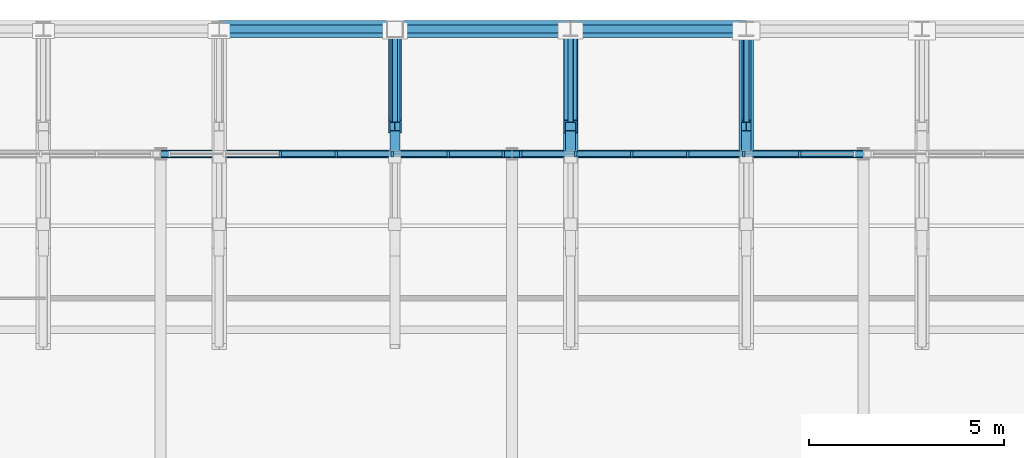
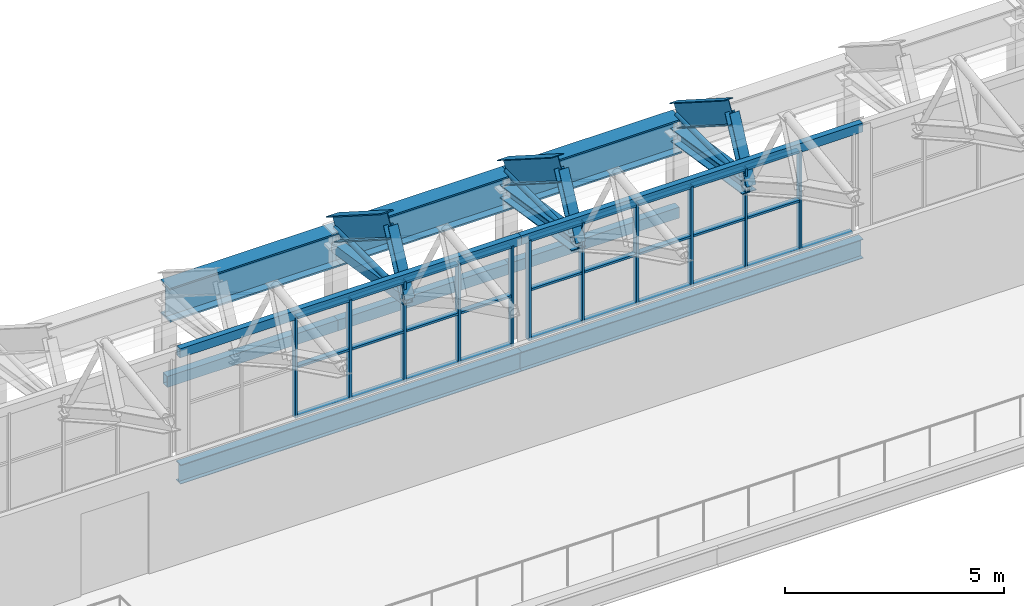
# One storey, part 70 of 134: 48 members, 13 beams, 2 elements without a shape of their own.
"""IFC4 building model written with IfcOpenShell, lengths in metres."""

from ifc_helpers import new_model, si_unit, direction, frame, origin, origin_2d, place, context, subcontext, project, spatial, rectangle, hollow_rectangle, hollow_circle, i_section, extrude, material, layer, layer_set, material_profile, profile_set, type_object, element, aggregate, save


model = new_model("IFC4")

# Units and contexts
model_context = context("Model", 3, precision=1e-05, world=origin(), true_north=direction((0.0, 1.0)))
body_context = subcontext(model_context, "Body", "Model", "MODEL_VIEW")
ifc_project = project(units=[si_unit("LENGTHUNIT", "METRE"), si_unit("AREAUNIT", "SQUARE_METRE"), si_unit("VOLUMEUNIT", "CUBIC_METRE"), si_unit("PLANEANGLEUNIT", "RADIAN"), si_unit("MASSUNIT", "GRAM", prefix="KILO")], contexts=[model_context])

# Site, building, storey
site_placement = place(None, origin())
site = spatial("IfcSite", under=ifc_project, at=site_placement, CompositionType="ELEMENT")
building_placement = place(site_placement, origin())
building = spatial("IfcBuilding", under=site, at=building_placement, Name="Cazmaro Siding Exhibition Halls", CompositionType="ELEMENT")
storey_placement = place(building_placement, frame((0.0, 0.0, 12.0)))
storey = spatial("IfcBuildingStorey", under=building, at=storey_placement, Name="L02", CompositionType="ELEMENT", Elevation=12.0)

# Beams
ifc_material_1 = material(Name="Steel ASTM A992 Grade 50", Category="steel")
ifc_material_profile_1 = material_profile(ifc_material_1, i_section(OverallWidth=0.327880859375, OverallDepth=0.626953125, WebThickness=0.01708984375, FlangeThickness=0.028076171875, at=origin_2d()), Name="W24X146")
ifc_profile_set_1 = profile_set([ifc_material_profile_1], Name="Steel ASTM A992 Grade 50")
beam_type_1 = type_object("IfcBeamType", Name="AR-01", PredefinedType="USERDEFINED", material=ifc_profile_set_1)
beam_1_placement = place(storey_placement, frame((99.0, 121.5, 3.89306640625), z_axis=(0.0, 0.843339173298, -0.537381650954), x_axis=(-1.0, 0.0, 0.0)))
element("IfcBeam", 1, at=beam_1_placement, inside=storey, type_object=beam_type_1, Name="Space frame barrel vault arched rib AR-01 BM-0846", ObjectType="ARCHED RIB", PredefinedType="USERDEFINED", context=body_context, shape_type="SweptSolid", body=[
    extrude(i_section(OverallWidth=0.327880859375, OverallDepth=0.626953125, WebThickness=0.01708984375, FlangeThickness=0.028076171875, at=origin_2d()), origin(), (0.0, 0.0, 1.0), 2.96435546875),
])
ifc_material_2 = material(Name="Steel ASTM A992 Grade 50", Category="steel")
ifc_material_profile_2 = material_profile(ifc_material_2, i_section(OverallWidth=0.324951171875, OverallDepth=0.612060546875, WebThickness=0.012939453125, FlangeThickness=0.01904296875, at=origin_2d()), Name="W24X104")
ifc_profile_set_2 = profile_set([ifc_material_profile_2], Name="Steel ASTM A992 Grade 50")
beam_type_2 = type_object("IfcBeamType", Name="AR-02", PredefinedType="USERDEFINED", material=ifc_profile_set_2)
beam_2_placement = place(storey_placement, frame((103.5, 121.5, 3.89306640625), z_axis=(0.0, 0.843339173298, -0.537381650954), x_axis=(-1.0, 0.0, 0.0)))
element("IfcBeam", 2, at=beam_2_placement, inside=storey, type_object=beam_type_2, Name="Space frame barrel vault arched rib AR-02 BM-0870", ObjectType="ARCHED RIB", PredefinedType="USERDEFINED", context=body_context, shape_type="SweptSolid", body=[
    extrude(i_section(OverallWidth=0.324951171875, OverallDepth=0.612060546875, WebThickness=0.012939453125, FlangeThickness=0.01904296875, at=origin_2d()), origin(), (0.0, 0.0, 1.0), 2.96435546875),
])
ifc_material_3 = material(Name="Steel ASTM A992 Grade 50", Category="steel")
ifc_material_profile_3 = material_profile(ifc_material_3, i_section(OverallWidth=0.22900390625, OverallDepth=0.612060546875, WebThickness=0.011962890625, FlangeThickness=0.02001953125, at=origin_2d()), Name="W24X84")
ifc_profile_set_3 = profile_set([ifc_material_profile_3], Name="Steel ASTM A992 Grade 50")
beam_type_3 = type_object("IfcBeamType", Name="AR-03", PredefinedType="USERDEFINED", material=ifc_profile_set_3)
beam_3_placement = place(storey_placement, frame((108.0, 121.5, 3.89306640625), z_axis=(0.0, 0.843339173298, -0.537381650954), x_axis=(-1.0, 0.0, 0.0)))
element("IfcBeam", 3, at=beam_3_placement, inside=storey, type_object=beam_type_3, Name="Space frame barrel vault arched rib AR-03 BM-0894", ObjectType="ARCHED RIB", PredefinedType="USERDEFINED", context=body_context, shape_type="SweptSolid", body=[
    extrude(i_section(OverallWidth=0.22900390625, OverallDepth=0.612060546875, WebThickness=0.011962890625, FlangeThickness=0.02001953125, at=origin_2d()), origin(), (0.0, 0.0, 1.0), 2.96435546875),
])
ifc_material_4 = material(Name="Steel ASTM A992 Grade 50", Category="steel")
ifc_material_profile_4 = material_profile(ifc_material_4, i_section(OverallWidth=0.2099609375, OverallDepth=0.535888671875, WebThickness=0.010986328125, FlangeThickness=0.01708984375, at=origin_2d()), Name="W21X68")
ifc_profile_set_4 = profile_set([ifc_material_profile_4], Name="Steel ASTM A992 Grade 50")
beam_type_4 = type_object("IfcBeamType", Name="B-02", PredefinedType="BEAM", material=ifc_profile_set_4)
for number, where, z_axis, x_axis, name in (
    (4, (93.0, 120.800048828125, -0.488037109375), (1.0, 0.0, 0.0), (0.0, 1.0, 0.0), "Beam B-02 BM-0414"),
    (5, (102.0, 120.800048828125, -0.488037109375), (1.0, 0.0, 0.0), (0.0, 1.0, 0.0), "Beam B-02 BM-0417"),
):
    element("IfcBeam", number, at=place(storey_placement, frame(where, z_axis=z_axis, x_axis=x_axis)), inside=storey, type_object=beam_type_4, Name=name, PredefinedType="BEAM", context=body_context, shape_type="SweptSolid", body=[
        extrude(i_section(OverallWidth=0.2099609375, OverallDepth=0.535888671875, WebThickness=0.010986328125, FlangeThickness=0.01708984375, at=origin_2d()), origin(), (0.0, 0.0, 1.0), 9.0),
    ])

# Curtain wall, members
ifc_material_5 = material(Name="Anodized Bronze Aluminum and Solar-Control Low-E Glazing", Category="aluminium")
ifc_layer = layer(ifc_material_5, 0.159912109375)
ifc_layer_set = layer_set([ifc_layer], Name="Anodized Bronze Aluminum and Solar-Control Low-E Glazing")
curtain_wall_type = type_object("IfcCurtainWallType", Name="CWS-04", PredefinedType="USERDEFINED", material=ifc_layer_set)
curtain_wall_1_placement = place(storey_placement, origin())
curtain_wall_1 = element("IfcCurtainWall", 6, at=curtain_wall_1_placement, inside=storey, type_object=curtain_wall_type, Name="Clerestory Curtain Wall CWS-04 CW-023", ObjectType="CLERESTORY CURTAIN WALL", PredefinedType="USERDEFINED")
ifc_material_6 = material(Name="Anodized Bronze Extruded Aluminum", Category="aluminium")
ifc_material_profile_5 = material_profile(ifc_material_6, rectangle(XDim=0.159912109375, YDim=0.06005859375, at=origin_2d()), Name="CWM-04")
ifc_profile_set_5 = profile_set([ifc_material_profile_5], Name="Anodized Bronze Extruded Aluminum")
member_type_1 = type_object("IfcMemberType", Name="CWM-04", PredefinedType="MULLION", material=ifc_profile_set_5)
member_1_placement = place(storey_placement, frame((101.77294921875, 120.800048828125, 0.0), z_axis=(0.0, 0.0, 1.0), x_axis=(0.0, -1.0, 0.0)))
member_1 = element("IfcMember", 7, at=member_1_placement, type_object=member_type_1, Name="CWS-04 mullion 1", PredefinedType="MULLION", context=body_context, shape_type="SweptSolid", body=[
    extrude(rectangle(XDim=0.159912109375, YDim=0.06005859375, at=origin_2d()), origin(), (0.0, 0.0, 1.0), 2.800048828125),
])
member_2_placement = place(storey_placement, frame((100.36865234375, 120.800048828125, 0.0), z_axis=(0.0, 0.0, 1.0), x_axis=(0.0, -1.0, 0.0)))
member_2 = element("IfcMember", 8, at=member_2_placement, type_object=member_type_1, Name="CWS-04 mullion 2", PredefinedType="MULLION", context=body_context, shape_type="SweptSolid", body=[
    extrude(rectangle(XDim=0.159912109375, YDim=0.06005859375, at=origin_2d()), origin(), (0.0, 0.0, 1.0), 2.800048828125),
])
member_3_placement = place(storey_placement, frame((98.934326171875, 120.800048828125, 0.0), z_axis=(0.0, 0.0, 1.0), x_axis=(0.0, -1.0, 0.0)))
member_3 = element("IfcMember", 9, at=member_3_placement, type_object=member_type_1, Name="CWS-04 mullion 3", PredefinedType="MULLION", context=body_context, shape_type="SweptSolid", body=[
    extrude(rectangle(XDim=0.159912109375, YDim=0.06005859375, at=origin_2d()), origin(), (0.0, 0.0, 1.0), 2.800048828125),
])
member_4_placement = place(storey_placement, frame((97.5, 120.800048828125, 0.0), z_axis=(0.0, 0.0, 1.0), x_axis=(0.0, -1.0, 0.0)))
member_4 = element("IfcMember", 10, at=member_4_placement, type_object=member_type_1, Name="CWS-04 mullion 4", PredefinedType="MULLION", context=body_context, shape_type="SweptSolid", body=[
    extrude(rectangle(XDim=0.159912109375, YDim=0.06005859375, at=origin_2d()), origin(), (0.0, 0.0, 1.0), 2.800048828125),
])
member_5_placement = place(storey_placement, frame((96.065673828125, 120.800048828125, 0.0), z_axis=(0.0, 0.0, 1.0), x_axis=(0.0, -1.0, 0.0)))
member_5 = element("IfcMember", 11, at=member_5_placement, type_object=member_type_1, Name="CWS-04 mullion 5", PredefinedType="MULLION", context=body_context, shape_type="SweptSolid", body=[
    extrude(rectangle(XDim=0.159912109375, YDim=0.06005859375, at=origin_2d()), origin(), (0.0, 0.0, 1.0), 2.800048828125),
])

curtain_wall_2_placement = place(storey_placement, origin())
curtain_wall_2 = element("IfcCurtainWall", 12, at=curtain_wall_2_placement, inside=storey, type_object=curtain_wall_type, Name="Clerestory Curtain Wall CWS-04 CW-026", ObjectType="CLERESTORY CURTAIN WALL", PredefinedType="USERDEFINED")
member_6_placement = place(storey_placement, frame((109.36865234375, 120.800048828125, 0.0), z_axis=(0.0, 0.0, 1.0), x_axis=(0.0, -1.0, 0.0)))
member_6 = element("IfcMember", 13, at=member_6_placement, type_object=member_type_1, Name="CWS-04 mullion 2", PredefinedType="MULLION", context=body_context, shape_type="SweptSolid", body=[
    extrude(rectangle(XDim=0.159912109375, YDim=0.06005859375, at=origin_2d()), origin(), (0.0, 0.0, 1.0), 2.800048828125),
])
member_7_placement = place(storey_placement, frame((107.934326171875, 120.800048828125, 0.0), z_axis=(0.0, 0.0, 1.0), x_axis=(0.0, -1.0, 0.0)))
member_7 = element("IfcMember", 14, at=member_7_placement, type_object=member_type_1, Name="CWS-04 mullion 3", PredefinedType="MULLION", context=body_context, shape_type="SweptSolid", body=[
    extrude(rectangle(XDim=0.159912109375, YDim=0.06005859375, at=origin_2d()), origin(), (0.0, 0.0, 1.0), 2.800048828125),
])
member_8_placement = place(storey_placement, frame((106.5, 120.800048828125, 0.0), z_axis=(0.0, 0.0, 1.0), x_axis=(0.0, -1.0, 0.0)))
member_8 = element("IfcMember", 15, at=member_8_placement, type_object=member_type_1, Name="CWS-04 mullion 4", PredefinedType="MULLION", context=body_context, shape_type="SweptSolid", body=[
    extrude(rectangle(XDim=0.159912109375, YDim=0.06005859375, at=origin_2d()), origin(), (0.0, 0.0, 1.0), 2.800048828125),
])
member_9_placement = place(storey_placement, frame((105.065673828125, 120.800048828125, 0.0), z_axis=(0.0, 0.0, 1.0), x_axis=(0.0, -1.0, 0.0)))
member_9 = element("IfcMember", 16, at=member_9_placement, type_object=member_type_1, Name="CWS-04 mullion 5", PredefinedType="MULLION", context=body_context, shape_type="SweptSolid", body=[
    extrude(rectangle(XDim=0.159912109375, YDim=0.06005859375, at=origin_2d()), origin(), (0.0, 0.0, 1.0), 2.800048828125),
])
member_10_placement = place(storey_placement, frame((103.63134765625, 120.800048828125, 0.0), z_axis=(0.0, 0.0, 1.0), x_axis=(0.0, -1.0, 0.0)))
member_10 = element("IfcMember", 17, at=member_10_placement, type_object=member_type_1, Name="CWS-04 mullion 6", PredefinedType="MULLION", context=body_context, shape_type="SweptSolid", body=[
    extrude(rectangle(XDim=0.159912109375, YDim=0.06005859375, at=origin_2d()), origin(), (0.0, 0.0, 1.0), 2.800048828125),
])
member_11_placement = place(storey_placement, frame((102.22705078125, 120.800048828125, 0.0), z_axis=(0.0, 0.0, 1.0), x_axis=(0.0, -1.0, 0.0)))
member_11 = element("IfcMember", 18, at=member_11_placement, type_object=member_type_1, Name="CWS-04 mullion 7", PredefinedType="MULLION", context=body_context, shape_type="SweptSolid", body=[
    extrude(rectangle(XDim=0.159912109375, YDim=0.06005859375, at=origin_2d()), origin(), (0.0, 0.0, 1.0), 2.800048828125),
])

# Member
ifc_material_7 = material(Name="Anodized Bronze Extruded Aluminum", Category="aluminium")
ifc_material_profile_6 = material_profile(ifc_material_7, rectangle(XDim=0.139892578125, YDim=0.06005859375, at=origin_2d()), Name="CWT-04")
ifc_profile_set_6 = profile_set([ifc_material_profile_6], Name="Anodized Bronze Extruded Aluminum")
member_type_2 = type_object("IfcMemberType", Name="CWT-04", PredefinedType="MULLION", material=ifc_profile_set_6)
member_12_placement = place(storey_placement, frame((101.742919921875, 120.800048828125, 0.030029296875), z_axis=(-1.0, 0.0, 0.0), x_axis=(0.0, -1.0, 0.0)))
member_12 = element("IfcMember", 19, at=member_12_placement, type_object=member_type_2, Name="CWS-04 transom 1.1", ObjectType="TRANSOM", PredefinedType="USERDEFINED", context=body_context, shape_type="SweptSolid", body=[
    extrude(rectangle(XDim=0.139892578125, YDim=0.06005859375, at=origin_2d()), origin(), (0.0, 0.0, 1.0), 1.34423828125),
])

member_13_placement = place(storey_placement, frame((101.742919921875, 120.800048828125, 1.39990234375), z_axis=(-1.0, 0.0, 0.0), x_axis=(0.0, -1.0, 0.0)))
member_13 = element("IfcMember", 20, at=member_13_placement, type_object=member_type_2, Name="CWS-04 transom 1.2", ObjectType="TRANSOM", PredefinedType="USERDEFINED", context=body_context, shape_type="SweptSolid", body=[
    extrude(rectangle(XDim=0.139892578125, YDim=0.06005859375, at=origin_2d()), origin(), (0.0, 0.0, 1.0), 1.34423828125),
])

member_14_placement = place(storey_placement, frame((101.742919921875, 120.800048828125, 2.77001953125), z_axis=(-1.0, 0.0, 0.0), x_axis=(0.0, -1.0, 0.0)))
member_14 = element("IfcMember", 21, at=member_14_placement, type_object=member_type_2, Name="CWS-04 transom 1.3", ObjectType="TRANSOM", PredefinedType="USERDEFINED", context=body_context, shape_type="SweptSolid", body=[
    extrude(rectangle(XDim=0.139892578125, YDim=0.06005859375, at=origin_2d()), origin(), (0.0, 0.0, 1.0), 1.34423828125),
])

member_15_placement = place(storey_placement, frame((100.338623046875, 120.800048828125, 0.030029296875), z_axis=(-1.0, 0.0, 0.0), x_axis=(0.0, -1.0, 0.0)))
member_15 = element("IfcMember", 22, at=member_15_placement, type_object=member_type_2, Name="CWS-04 transom 2.1", ObjectType="TRANSOM", PredefinedType="USERDEFINED", context=body_context, shape_type="SweptSolid", body=[
    extrude(rectangle(XDim=0.139892578125, YDim=0.06005859375, at=origin_2d()), origin(), (0.0, 0.0, 1.0), 1.374267578125),
])

member_16_placement = place(storey_placement, frame((100.338623046875, 120.800048828125, 1.39990234375), z_axis=(-1.0, 0.0, 0.0), x_axis=(0.0, -1.0, 0.0)))
member_16 = element("IfcMember", 23, at=member_16_placement, type_object=member_type_2, Name="CWS-04 transom 2.2", ObjectType="TRANSOM", PredefinedType="USERDEFINED", context=body_context, shape_type="SweptSolid", body=[
    extrude(rectangle(XDim=0.139892578125, YDim=0.06005859375, at=origin_2d()), origin(), (0.0, 0.0, 1.0), 1.374267578125),
])

member_17_placement = place(storey_placement, frame((100.338623046875, 120.800048828125, 2.77001953125), z_axis=(-1.0, 0.0, 0.0), x_axis=(0.0, -1.0, 0.0)))
member_17 = element("IfcMember", 24, at=member_17_placement, type_object=member_type_2, Name="CWS-04 transom 2.3", ObjectType="TRANSOM", PredefinedType="USERDEFINED", context=body_context, shape_type="SweptSolid", body=[
    extrude(rectangle(XDim=0.139892578125, YDim=0.06005859375, at=origin_2d()), origin(), (0.0, 0.0, 1.0), 1.374267578125),
])

member_18_placement = place(storey_placement, frame((98.904296875, 120.800048828125, 0.030029296875), z_axis=(-1.0, 0.0, 0.0), x_axis=(0.0, -1.0, 0.0)))
member_18 = element("IfcMember", 25, at=member_18_placement, type_object=member_type_2, Name="CWS-04 transom 3.1", ObjectType="TRANSOM", PredefinedType="USERDEFINED", context=body_context, shape_type="SweptSolid", body=[
    extrude(rectangle(XDim=0.139892578125, YDim=0.06005859375, at=origin_2d()), origin(), (0.0, 0.0, 1.0), 1.374267578125),
])

member_19_placement = place(storey_placement, frame((98.904296875, 120.800048828125, 1.39990234375), z_axis=(-1.0, 0.0, 0.0), x_axis=(0.0, -1.0, 0.0)))
member_19 = element("IfcMember", 26, at=member_19_placement, type_object=member_type_2, Name="CWS-04 transom 3.2", ObjectType="TRANSOM", PredefinedType="USERDEFINED", context=body_context, shape_type="SweptSolid", body=[
    extrude(rectangle(XDim=0.139892578125, YDim=0.06005859375, at=origin_2d()), origin(), (0.0, 0.0, 1.0), 1.374267578125),
])

member_20_placement = place(storey_placement, frame((98.904296875, 120.800048828125, 2.77001953125), z_axis=(-1.0, 0.0, 0.0), x_axis=(0.0, -1.0, 0.0)))
member_20 = element("IfcMember", 27, at=member_20_placement, type_object=member_type_2, Name="CWS-04 transom 3.3", ObjectType="TRANSOM", PredefinedType="USERDEFINED", context=body_context, shape_type="SweptSolid", body=[
    extrude(rectangle(XDim=0.139892578125, YDim=0.06005859375, at=origin_2d()), origin(), (0.0, 0.0, 1.0), 1.374267578125),
])

member_21_placement = place(storey_placement, frame((97.469970703125, 120.800048828125, 0.030029296875), z_axis=(-1.0, 0.0, 0.0), x_axis=(0.0, -1.0, 0.0)))
member_21 = element("IfcMember", 28, at=member_21_placement, type_object=member_type_2, Name="CWS-04 transom 4.1", ObjectType="TRANSOM", PredefinedType="USERDEFINED", context=body_context, shape_type="SweptSolid", body=[
    extrude(rectangle(XDim=0.139892578125, YDim=0.06005859375, at=origin_2d()), origin(), (0.0, 0.0, 1.0), 1.374267578125),
])

member_22_placement = place(storey_placement, frame((97.469970703125, 120.800048828125, 1.39990234375), z_axis=(-1.0, 0.0, 0.0), x_axis=(0.0, -1.0, 0.0)))
member_22 = element("IfcMember", 29, at=member_22_placement, type_object=member_type_2, Name="CWS-04 transom 4.2", ObjectType="TRANSOM", PredefinedType="USERDEFINED", context=body_context, shape_type="SweptSolid", body=[
    extrude(rectangle(XDim=0.139892578125, YDim=0.06005859375, at=origin_2d()), origin(), (0.0, 0.0, 1.0), 1.374267578125),
])

member_23_placement = place(storey_placement, frame((97.469970703125, 120.800048828125, 2.77001953125), z_axis=(-1.0, 0.0, 0.0), x_axis=(0.0, -1.0, 0.0)))
member_23 = element("IfcMember", 30, at=member_23_placement, type_object=member_type_2, Name="CWS-04 transom 4.3", ObjectType="TRANSOM", PredefinedType="USERDEFINED", context=body_context, shape_type="SweptSolid", body=[
    extrude(rectangle(XDim=0.139892578125, YDim=0.06005859375, at=origin_2d()), origin(), (0.0, 0.0, 1.0), 1.374267578125),
])

aggregate(curtain_wall_1, [member_1, member_2, member_3, member_4, member_5, member_12, member_13, member_14, member_15, member_16, member_17, member_18, member_19, member_20, member_21, member_22, member_23])

member_24_placement = place(storey_placement, frame((110.742919921875, 120.800048828125, 0.030029296875), z_axis=(-1.0, 0.0, 0.0), x_axis=(0.0, -1.0, 0.0)))
member_24 = element("IfcMember", 31, at=member_24_placement, type_object=member_type_2, Name="CWS-04 transom 1.1", ObjectType="TRANSOM", PredefinedType="USERDEFINED", context=body_context, shape_type="SweptSolid", body=[
    extrude(rectangle(XDim=0.139892578125, YDim=0.06005859375, at=origin_2d()), origin(), (0.0, 0.0, 1.0), 1.34423828125),
])

member_25_placement = place(storey_placement, frame((109.338623046875, 120.800048828125, 0.030029296875), z_axis=(-1.0, 0.0, 0.0), x_axis=(0.0, -1.0, 0.0)))
member_25 = element("IfcMember", 32, at=member_25_placement, type_object=member_type_2, Name="CWS-04 transom 2.1", ObjectType="TRANSOM", PredefinedType="USERDEFINED", context=body_context, shape_type="SweptSolid", body=[
    extrude(rectangle(XDim=0.139892578125, YDim=0.06005859375, at=origin_2d()), origin(), (0.0, 0.0, 1.0), 1.374267578125),
])

member_26_placement = place(storey_placement, frame((109.338623046875, 120.800048828125, 1.39990234375), z_axis=(-1.0, 0.0, 0.0), x_axis=(0.0, -1.0, 0.0)))
member_26 = element("IfcMember", 33, at=member_26_placement, type_object=member_type_2, Name="CWS-04 transom 2.2", ObjectType="TRANSOM", PredefinedType="USERDEFINED", context=body_context, shape_type="SweptSolid", body=[
    extrude(rectangle(XDim=0.139892578125, YDim=0.06005859375, at=origin_2d()), origin(), (0.0, 0.0, 1.0), 1.374267578125),
])

member_27_placement = place(storey_placement, frame((109.338623046875, 120.800048828125, 2.77001953125), z_axis=(-1.0, 0.0, 0.0), x_axis=(0.0, -1.0, 0.0)))
member_27 = element("IfcMember", 34, at=member_27_placement, type_object=member_type_2, Name="CWS-04 transom 2.3", ObjectType="TRANSOM", PredefinedType="USERDEFINED", context=body_context, shape_type="SweptSolid", body=[
    extrude(rectangle(XDim=0.139892578125, YDim=0.06005859375, at=origin_2d()), origin(), (0.0, 0.0, 1.0), 1.374267578125),
])

member_28_placement = place(storey_placement, frame((107.904296875, 120.800048828125, 0.030029296875), z_axis=(-1.0, 0.0, 0.0), x_axis=(0.0, -1.0, 0.0)))
member_28 = element("IfcMember", 35, at=member_28_placement, type_object=member_type_2, Name="CWS-04 transom 3.1", ObjectType="TRANSOM", PredefinedType="USERDEFINED", context=body_context, shape_type="SweptSolid", body=[
    extrude(rectangle(XDim=0.139892578125, YDim=0.06005859375, at=origin_2d()), origin(), (0.0, 0.0, 1.0), 1.374267578125),
])

member_29_placement = place(storey_placement, frame((107.904296875, 120.800048828125, 1.39990234375), z_axis=(-1.0, 0.0, 0.0), x_axis=(0.0, -1.0, 0.0)))
member_29 = element("IfcMember", 36, at=member_29_placement, type_object=member_type_2, Name="CWS-04 transom 3.2", ObjectType="TRANSOM", PredefinedType="USERDEFINED", context=body_context, shape_type="SweptSolid", body=[
    extrude(rectangle(XDim=0.139892578125, YDim=0.06005859375, at=origin_2d()), origin(), (0.0, 0.0, 1.0), 1.374267578125),
])

member_30_placement = place(storey_placement, frame((107.904296875, 120.800048828125, 2.77001953125), z_axis=(-1.0, 0.0, 0.0), x_axis=(0.0, -1.0, 0.0)))
member_30 = element("IfcMember", 37, at=member_30_placement, type_object=member_type_2, Name="CWS-04 transom 3.3", ObjectType="TRANSOM", PredefinedType="USERDEFINED", context=body_context, shape_type="SweptSolid", body=[
    extrude(rectangle(XDim=0.139892578125, YDim=0.06005859375, at=origin_2d()), origin(), (0.0, 0.0, 1.0), 1.374267578125),
])

member_31_placement = place(storey_placement, frame((106.469970703125, 120.800048828125, 0.030029296875), z_axis=(-1.0, 0.0, 0.0), x_axis=(0.0, -1.0, 0.0)))
member_31 = element("IfcMember", 38, at=member_31_placement, type_object=member_type_2, Name="CWS-04 transom 4.1", ObjectType="TRANSOM", PredefinedType="USERDEFINED", context=body_context, shape_type="SweptSolid", body=[
    extrude(rectangle(XDim=0.139892578125, YDim=0.06005859375, at=origin_2d()), origin(), (0.0, 0.0, 1.0), 1.374267578125),
])

member_32_placement = place(storey_placement, frame((106.469970703125, 120.800048828125, 1.39990234375), z_axis=(-1.0, 0.0, 0.0), x_axis=(0.0, -1.0, 0.0)))
member_32 = element("IfcMember", 39, at=member_32_placement, type_object=member_type_2, Name="CWS-04 transom 4.2", ObjectType="TRANSOM", PredefinedType="USERDEFINED", context=body_context, shape_type="SweptSolid", body=[
    extrude(rectangle(XDim=0.139892578125, YDim=0.06005859375, at=origin_2d()), origin(), (0.0, 0.0, 1.0), 1.374267578125),
])

member_33_placement = place(storey_placement, frame((106.469970703125, 120.800048828125, 2.77001953125), z_axis=(-1.0, 0.0, 0.0), x_axis=(0.0, -1.0, 0.0)))
member_33 = element("IfcMember", 40, at=member_33_placement, type_object=member_type_2, Name="CWS-04 transom 4.3", ObjectType="TRANSOM", PredefinedType="USERDEFINED", context=body_context, shape_type="SweptSolid", body=[
    extrude(rectangle(XDim=0.139892578125, YDim=0.06005859375, at=origin_2d()), origin(), (0.0, 0.0, 1.0), 1.374267578125),
])

member_34_placement = place(storey_placement, frame((105.03564453125, 120.800048828125, 0.030029296875), z_axis=(-1.0, 0.0, 0.0), x_axis=(0.0, -1.0, 0.0)))
member_34 = element("IfcMember", 41, at=member_34_placement, type_object=member_type_2, Name="CWS-04 transom 5.1", ObjectType="TRANSOM", PredefinedType="USERDEFINED", context=body_context, shape_type="SweptSolid", body=[
    extrude(rectangle(XDim=0.139892578125, YDim=0.06005859375, at=origin_2d()), origin(), (0.0, 0.0, 1.0), 1.374267578125),
])

member_35_placement = place(storey_placement, frame((105.03564453125, 120.800048828125, 1.39990234375), z_axis=(-1.0, 0.0, 0.0), x_axis=(0.0, -1.0, 0.0)))
member_35 = element("IfcMember", 42, at=member_35_placement, type_object=member_type_2, Name="CWS-04 transom 5.2", ObjectType="TRANSOM", PredefinedType="USERDEFINED", context=body_context, shape_type="SweptSolid", body=[
    extrude(rectangle(XDim=0.139892578125, YDim=0.06005859375, at=origin_2d()), origin(), (0.0, 0.0, 1.0), 1.374267578125),
])

member_36_placement = place(storey_placement, frame((105.03564453125, 120.800048828125, 2.77001953125), z_axis=(-1.0, 0.0, 0.0), x_axis=(0.0, -1.0, 0.0)))
member_36 = element("IfcMember", 43, at=member_36_placement, type_object=member_type_2, Name="CWS-04 transom 5.3", ObjectType="TRANSOM", PredefinedType="USERDEFINED", context=body_context, shape_type="SweptSolid", body=[
    extrude(rectangle(XDim=0.139892578125, YDim=0.06005859375, at=origin_2d()), origin(), (0.0, 0.0, 1.0), 1.374267578125),
])

member_37_placement = place(storey_placement, frame((103.601318359375, 120.800048828125, 0.030029296875), z_axis=(-1.0, 0.0, 0.0), x_axis=(0.0, -1.0, 0.0)))
member_37 = element("IfcMember", 44, at=member_37_placement, type_object=member_type_2, Name="CWS-04 transom 6.1", ObjectType="TRANSOM", PredefinedType="USERDEFINED", context=body_context, shape_type="SweptSolid", body=[
    extrude(rectangle(XDim=0.139892578125, YDim=0.06005859375, at=origin_2d()), origin(), (0.0, 0.0, 1.0), 1.34423828125),
])

member_38_placement = place(storey_placement, frame((103.601318359375, 120.800048828125, 1.39990234375), z_axis=(-1.0, 0.0, 0.0), x_axis=(0.0, -1.0, 0.0)))
member_38 = element("IfcMember", 45, at=member_38_placement, type_object=member_type_2, Name="CWS-04 transom 6.2", ObjectType="TRANSOM", PredefinedType="USERDEFINED", context=body_context, shape_type="SweptSolid", body=[
    extrude(rectangle(XDim=0.139892578125, YDim=0.06005859375, at=origin_2d()), origin(), (0.0, 0.0, 1.0), 1.34423828125),
])

member_39_placement = place(storey_placement, frame((103.601318359375, 120.800048828125, 2.77001953125), z_axis=(-1.0, 0.0, 0.0), x_axis=(0.0, -1.0, 0.0)))
member_39 = element("IfcMember", 46, at=member_39_placement, type_object=member_type_2, Name="CWS-04 transom 6.3", ObjectType="TRANSOM", PredefinedType="USERDEFINED", context=body_context, shape_type="SweptSolid", body=[
    extrude(rectangle(XDim=0.139892578125, YDim=0.06005859375, at=origin_2d()), origin(), (0.0, 0.0, 1.0), 1.34423828125),
])

aggregate(curtain_wall_2, [member_6, member_7, member_8, member_9, member_10, member_11, member_24, member_25, member_26, member_27, member_28, member_29, member_30, member_31, member_32, member_33, member_34, member_35, member_36, member_37, member_38, member_39])

# Beams
ifc_material_8 = material(Name="Steel ASTM A992 Grade 50", Category="steel")
ifc_material_profile_7 = material_profile(ifc_material_8, i_section(OverallWidth=0.424072265625, OverallDepth=0.947021484375, WebThickness=0.02392578125, FlangeThickness=0.04296875, at=origin_2d()), Name="W36X302")
ifc_profile_set_7 = profile_set([ifc_material_profile_7], Name="Steel ASTM A992 Grade 50")
beam_type_5 = type_object("IfcBeamType", Name="G-01", PredefinedType="USERDEFINED", material=ifc_profile_set_7)
for number, where, z_axis, x_axis, name in (
    (47, (94.5, 124.0, 1.826904296875), (1.0, 0.0, 0.0), (0.0, 1.0, 0.0), "Beam G-01 BM-0132"),
    (48, (99.0, 124.0, 1.826904296875), (1.0, 0.0, 0.0), (0.0, 1.0, 0.0), "Beam G-01 BM-0138"),
    (49, (103.5, 124.0, 1.826904296875), (1.0, 0.0, 0.0), (0.0, 1.0, 0.0), "Beam G-01 BM-0144"),
):
    element("IfcBeam", number, at=place(storey_placement, frame(where, z_axis=z_axis, x_axis=x_axis)), inside=storey, type_object=beam_type_5, Name=name, ObjectType="GIRDER", PredefinedType="USERDEFINED", context=body_context, shape_type="SweptSolid", body=[
        extrude(i_section(OverallWidth=0.424072265625, OverallDepth=0.947021484375, WebThickness=0.02392578125, FlangeThickness=0.04296875, at=origin_2d()), origin(), (0.0, 0.0, 1.0), 4.5),
    ])
ifc_material_9 = material(Name="Steel ASTM A500 Grade C", Category="steel")
ifc_material_profile_8 = material_profile(ifc_material_9, hollow_rectangle(XDim=0.202880859375, YDim=0.304931640625, WallThickness=0.011962890625, at=origin_2d()), Name="HSS12X8X1/2")
ifc_profile_set_8 = profile_set([ifc_material_profile_8], Name="Steel ASTM A500 Grade C")
beam_type_6 = type_object("IfcBeamType", Name="SP-01", PredefinedType="SPANDREL", material=ifc_profile_set_8)
for number, where, z_axis, x_axis, name in (
    (50, (94.5, 124.0, -0.373046875), (1.0, 0.0, 0.0), (0.0, 1.0, 0.0), "Beam SP-01 BM-0131"),
    (51, (99.0, 124.0, -0.373046875), (1.0, 0.0, 0.0), (0.0, 1.0, 0.0), "Beam SP-01 BM-0137"),
    (52, (103.5, 124.0, -0.373046875), (1.0, 0.0, 0.0), (0.0, 1.0, 0.0), "Beam SP-01 BM-0143"),
):
    element("IfcBeam", number, at=place(storey_placement, frame(where, z_axis=z_axis, x_axis=x_axis)), inside=storey, type_object=beam_type_6, Name=name, PredefinedType="SPANDREL", context=body_context, shape_type="SweptSolid", body=[
        extrude(hollow_rectangle(XDim=0.202880859375, YDim=0.304931640625, WallThickness=0.011962890625, at=origin_2d()), origin(), (0.0, 0.0, 1.0), 4.5),
    ])
ifc_material_10 = material(Name="Steel ASTM A500 Grade C", Category="steel")
ifc_material_profile_9 = material_profile(ifc_material_10, hollow_rectangle(XDim=0.152099609375, YDim=0.25390625, WallThickness=0.011962890625, at=origin_2d()), Name="HSS10X6X1/2")
ifc_profile_set_9 = profile_set([ifc_material_profile_9], Name="Steel ASTM A500 Grade C")
beam_type_7 = type_object("IfcBeamType", Name="SP-02", PredefinedType="SPANDREL", material=ifc_profile_set_9)
for number, where, z_axis, x_axis, name in (
    (53, (93.0, 120.800048828125, 2.873046875), (1.0, 0.0, 0.0), (0.0, 1.0, 0.0), "Beam SP-02 BM-0238"),
    (54, (102.0, 120.800048828125, 2.873046875), (1.0, 0.0, 0.0), (0.0, 1.0, 0.0), "Beam SP-02 BM-0240"),
):
    element("IfcBeam", number, at=place(storey_placement, frame(where, z_axis=z_axis, x_axis=x_axis)), inside=storey, type_object=beam_type_7, Name=name, PredefinedType="SPANDREL", context=body_context, shape_type="SweptSolid", body=[
        extrude(hollow_rectangle(XDim=0.152099609375, YDim=0.25390625, WallThickness=0.011962890625, at=origin_2d()), origin(), (0.0, 0.0, 1.0), 9.0),
    ])

# Members
ifc_material_11 = material(Name="Steel ASTM A500 Grade C", Category="steel")
ifc_material_profile_10 = material_profile(ifc_material_11, hollow_rectangle(XDim=0.25390625, YDim=0.25390625, WallThickness=0.014892578125, at=origin_2d()), Name="HSS10X10X5/8")
ifc_profile_set_10 = profile_set([ifc_material_profile_10], Name="Steel ASTM A500 Grade C")
member_type_3 = type_object("IfcMemberType", Name="TC-01", PredefinedType="CHORD", material=ifc_profile_set_10)
member_40_placement = place(storey_placement, frame((99.0, 120.72900390625, 2.305908203125), z_axis=(0.0, 0.988252010809, -0.152833121839), x_axis=(-1.0, 0.0, 0.0)))
element("IfcMember", 55, at=member_40_placement, inside=storey, type_object=member_type_3, Name="Space frame barrel vault bottom chord TC-01 MEM-0851", PredefinedType="CHORD", context=body_context, shape_type="SweptSolid", body=[
    extrude(hollow_rectangle(XDim=0.25390625, YDim=0.25390625, WallThickness=0.014892578125, at=origin_2d()), origin(), (0.0, 0.0, 1.0), 3.309814453125),
])
ifc_material_12 = material(Name="Steel ASTM A992 Grade 50", Category="steel")
ifc_material_profile_11 = material_profile(ifc_material_12, i_section(OverallWidth=0.37109375, OverallDepth=0.364013671875, WebThickness=0.012939453125, FlangeThickness=0.02197265625, at=origin_2d()), Name="W14X109")
ifc_profile_set_11 = profile_set([ifc_material_profile_11], Name="Steel ASTM A992 Grade 50")
member_type_4 = type_object("IfcMemberType", Name="TC-06", PredefinedType="CHORD", material=ifc_profile_set_11)
for number, where, z_axis, x_axis, name in (
    (56, (103.5, 120.72900390625, 2.305908203125), (0.0, 0.988252010809, -0.152833121839), (-1.0, 0.0, 0.0), "Space frame barrel vault bottom chord TC-06 MEM-0922"),
    (57, (108.0, 120.72900390625, 2.305908203125), (0.0, 0.988252010809, -0.152833121839), (-1.0, 0.0, 0.0), "Space frame barrel vault bottom chord TC-06 MEM-0993"),
):
    element("IfcMember", number, at=place(storey_placement, frame(where, z_axis=z_axis, x_axis=x_axis)), inside=storey, type_object=member_type_4, Name=name, PredefinedType="CHORD", context=body_context, shape_type="SweptSolid", body=[
        extrude(i_section(OverallWidth=0.37109375, OverallDepth=0.364013671875, WebThickness=0.012939453125, FlangeThickness=0.02197265625, at=origin_2d()), origin(), (0.0, 0.0, 1.0), 3.309814453125),
    ])
ifc_material_13 = material(Name="Steel ASTM A992 Grade 50", Category="steel")
ifc_material_profile_12 = material_profile(ifc_material_13, i_section(OverallWidth=0.25390625, OverallDepth=0.25390625, WebThickness=0.009033203125, FlangeThickness=0.013916015625, at=origin_2d()), Name="W10X49")
ifc_profile_set_12 = profile_set([ifc_material_profile_12], Name="Steel ASTM A992 Grade 50")
member_type_5 = type_object("IfcMemberType", Name="TP-04", PredefinedType="POST", material=ifc_profile_set_12)
for number, where, z_axis, x_axis, name in (
    (58, (99.0, 120.72900390625, 2.305908203125), (0.0, 0.436945543824, 0.89948796086), (-1.0, 0.0, 0.0), "Space frame barrel vault post TP-04 MEM-0875"),
    (59, (103.5, 120.72900390625, 2.305908203125), (0.0, 0.436945543824, 0.89948796086), (-1.0, 0.0, 0.0), "Space frame barrel vault post TP-04 MEM-0946"),
    (60, (108.0, 120.72900390625, 2.305908203125), (0.0, 0.436945543824, 0.89948796086), (-1.0, 0.0, 0.0), "Space frame barrel vault post TP-04 MEM-1017"),
):
    element("IfcMember", number, at=place(storey_placement, frame(where, z_axis=z_axis, x_axis=x_axis)), inside=storey, type_object=member_type_5, Name=name, PredefinedType="POST", context=body_context, shape_type="SweptSolid", body=[
        extrude(i_section(OverallWidth=0.25390625, OverallDepth=0.25390625, WebThickness=0.009033203125, FlangeThickness=0.013916015625, at=origin_2d()), origin(), (0.0, 0.0, 1.0), 1.764404296875),
    ])
ifc_material_14 = material(Name="Steel ASTM A500 Grade C", Category="steel")
ifc_material_profile_13 = material_profile(ifc_material_14, hollow_circle(Radius=0.070556640625, WallThickness=0.01904296875, at=origin_2d()), Name="PIPE5XXS")
ifc_profile_set_13 = profile_set([ifc_material_profile_13], Name="Steel ASTM A500 Grade C")
member_type_6 = type_object("IfcMemberType", Name="WB-07", PredefinedType="BRACE", material=ifc_profile_set_13)
for number, where, z_axis, x_axis, name in (
    (61, (99.0, 120.72900390625, 2.305908203125), (0.0, 0.999998395604, -0.001791309262), (-1.0, 0.0, 0.0), "Space frame barrel vault diagonal WB-07 MEM-0852"),
    (62, (103.5, 120.72900390625, 2.305908203125), (0.0, 0.999998395604, -0.001791309262), (-1.0, 0.0, 0.0), "Space frame barrel vault diagonal WB-07 MEM-0923"),
    (63, (108.0, 120.72900390625, 2.305908203125), (0.0, 0.999998395604, -0.001791309262), (-1.0, 0.0, 0.0), "Space frame barrel vault diagonal WB-07 MEM-0994"),
):
    element("IfcMember", number, at=place(storey_placement, frame(where, z_axis=z_axis, x_axis=x_axis)), inside=storey, type_object=member_type_6, Name=name, PredefinedType="BRACE", context=body_context, shape_type="SweptSolid", body=[
        extrude(hollow_circle(Radius=0.070556640625, WallThickness=0.01904296875, at=origin_2d()), origin(), (0.0, 0.0, 1.0), 3.27099609375),
    ])

save(model, "model.ifc")
